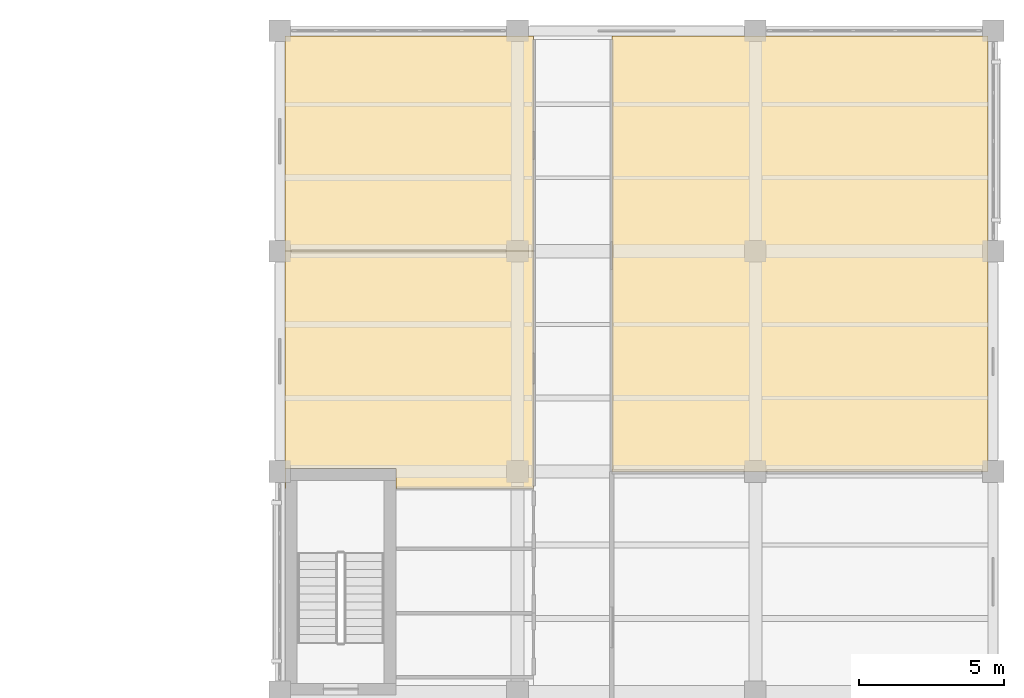
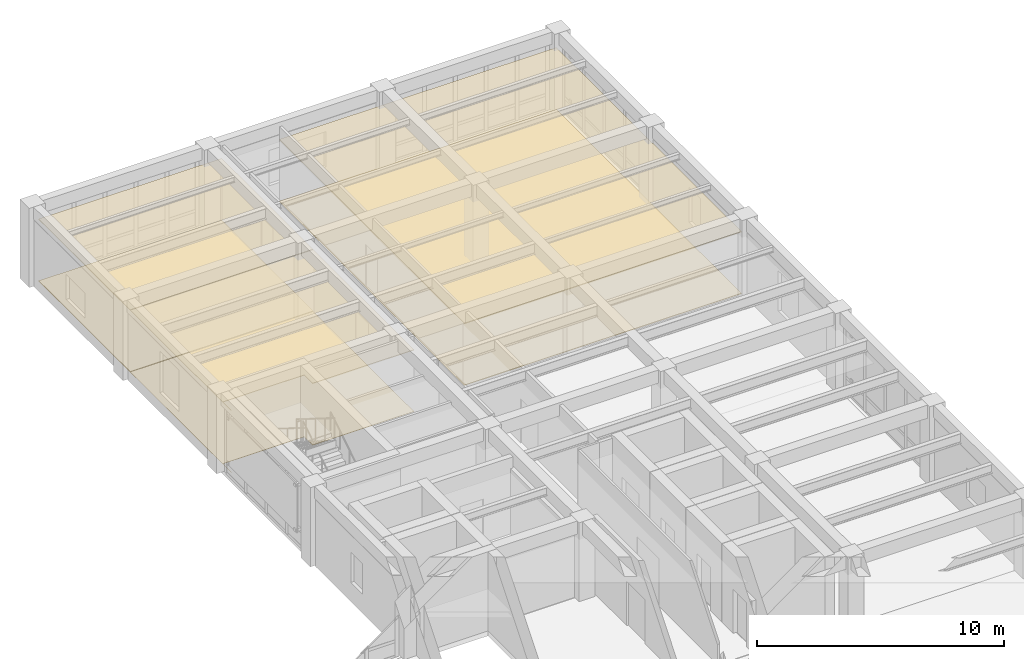
# One storey, part 13 of 13: 6 coverings.
"""IFC4 building model written with IfcOpenShell, lengths in metres."""

from ifc_helpers import new_model, si_unit, direction, frame, origin, place, context, subcontext, project, spatial, polyline, outline, extrude, material, layer, layer_set, type_object, element, save


model = new_model("IFC4")

# Units and contexts
model_context = context("Model", 3, precision=1e-05, world=origin(), true_north=direction((0.0, 1.0)))
body_context = subcontext(model_context, "Body", "Model", "MODEL_VIEW")
ifc_project = project(units=[si_unit("LENGTHUNIT", "METRE"), si_unit("AREAUNIT", "SQUARE_METRE"), si_unit("VOLUMEUNIT", "CUBIC_METRE"), si_unit("PLANEANGLEUNIT", "RADIAN"), si_unit("MASSUNIT", "GRAM", prefix="KILO")], contexts=[model_context])

# Site, building, storey
site_placement = place(None, origin())
site = spatial("IfcSite", under=ifc_project, at=site_placement, CompositionType="ELEMENT")
building_placement = place(site_placement, origin())
building = spatial("IfcBuilding", under=site, at=building_placement, Name="Qandaris Square Conservatory and Botanical Centre", CompositionType="ELEMENT")
storey_placement = place(building_placement, frame((0.0, 0.0, 57.60009765625)))
storey = spatial("IfcBuildingStorey", under=building, at=storey_placement, Name="L13", CompositionType="ELEMENT", Elevation=57.60009765625)

# Coverings
ifc_material_1 = material(Name="Honed Qatari Limestone", Category="masonry")
ifc_layer_1 = layer(ifc_material_1, 0.030029296875)
ifc_layer_set_1 = layer_set([ifc_layer_1], Name="Honed Qatari Limestone")
covering_type_1 = type_object("IfcCoveringType", Name="Honed Qatari Limestone Concourse Paving", PredefinedType="FLOORING", material=ifc_layer_set_1)
covering_1_placement = place(storey_placement, origin())
element("IfcCovering", 1, at=covering_1_placement, inside=storey, type_object=covering_type_1, Name="Climate Modelling Collaborative Seminar Room Flooring", PredefinedType="FLOORING", context=body_context, shape_type="SweptSolid", body=[
    extrude(outline(polyline([(147.949951171875, 61.89990234375), (147.949951171875, 54.60009765625), (139.3798828125, 54.60009765625), (139.3798828125, 62.02001953125), (147.949951171875, 62.02001953125), (147.949951171875, 61.89990234375)])), origin(), (0.0, 0.0, 1.0), 0.02978515625),
])
covering_2_placement = place(storey_placement, origin())
element("IfcCovering", 2, at=covering_2_placement, inside=storey, type_object=covering_type_1, Name="Floor L13 Staff Write-Up Lounge Flooring", PredefinedType="FLOORING", context=body_context, shape_type="SweptSolid", body=[
    extrude(outline(polyline([(150.64990234375, 47.0), (150.64990234375, 61.89990234375), (150.64990234375, 62.02001953125), (163.6201171875, 62.02001953125), (163.6201171875, 47.0), (150.64990234375, 47.0)])), origin(), (0.0, 0.0, 1.0), 0.02978515625),
])
ifc_material_2 = material(Name="Gypsum Plasterboard", Category="gypsum")
ifc_layer_2 = layer(ifc_material_2, 0.02490234375)
ifc_layer_set_2 = layer_set([ifc_layer_2], Name="Gypsum Plasterboard")
covering_type_2 = type_object("IfcCoveringType", Name="Perforated Acoustic Lab Ceiling Tile", PredefinedType="CEILING", material=ifc_layer_set_2)
covering_3_placement = place(storey_placement, frame((0.0, 0.0, 3.0498046875)))
element("IfcCovering", 3, at=covering_3_placement, inside=storey, type_object=covering_type_2, Name="Coastal Dune Flora Specimen Prep Room Ceiling", PredefinedType="CEILING", context=body_context, shape_type="SweptSolid", body=[
    extrude(outline(polyline([(147.949951171875, 46.419921875), (143.199951171875, 46.419921875), (143.199951171875, 47.10009765625), (139.39990234375, 47.10009765625), (139.39990234375, 46.419921875), (139.3798828125, 46.419921875), (139.3798828125, 54.60009765625), (147.949951171875, 54.60009765625), (147.949951171875, 46.419921875)])), origin(), (0.0, 0.0, 1.0), 0.025146484375),
])
ifc_material_3 = material(Name="Epoxy Resin Screed", Category="finish")
ifc_layer_3 = layer(ifc_material_3, 0.014892578125)
ifc_layer_set_3 = layer_set([ifc_layer_3], Name="Epoxy Resin Screed")
covering_type_3 = type_object("IfcCoveringType", Name="Seamless Epoxy Laboratory Flooring", PredefinedType="FLOORING", material=ifc_layer_set_3)
covering_4_placement = place(storey_placement, origin())
element("IfcCovering", 4, at=covering_4_placement, inside=storey, type_object=covering_type_3, Name="Coastal Dune Flora Specimen Prep Room Flooring", PredefinedType="FLOORING", context=body_context, shape_type="SweptSolid", body=[
    extrude(outline(polyline([(147.949951171875, 46.419921875), (143.199951171875, 46.419921875), (143.199951171875, 47.10009765625), (139.39990234375, 47.10009765625), (139.39990234375, 46.419921875), (139.3798828125, 46.419921875), (139.3798828125, 54.60009765625), (147.949951171875, 54.60009765625), (147.949951171875, 46.419921875)])), origin(), (0.0, 0.0, 1.0), 0.014892578125),
])
ifc_material_4 = material(Name="Engineered Oak Timber", Category="wood")
ifc_layer_4 = layer(ifc_material_4, 0.0400390625)
ifc_layer_set_4 = layer_set([ifc_layer_4], Name="Engineered Oak Timber")
covering_type_4 = type_object("IfcCoveringType", Name="Slatted Oak Acoustic Gallery Ceiling", PredefinedType="CEILING", material=ifc_layer_set_4)
covering_5_placement = place(storey_placement, frame((0.0, 0.0, 3.0498046875)))
element("IfcCovering", 5, at=covering_5_placement, inside=storey, type_object=covering_type_4, Name="Climate Modelling Collaborative Seminar Room Ceiling", PredefinedType="CEILING", context=body_context, shape_type="SweptSolid", body=[
    extrude(outline(polyline([(147.949951171875, 61.89990234375), (147.949951171875, 54.60009765625), (139.3798828125, 54.60009765625), (139.3798828125, 62.02001953125), (147.949951171875, 62.02001953125), (147.949951171875, 61.89990234375)])), origin(), (0.0, 0.0, 1.0), 0.0400390625),
])
covering_6_placement = place(storey_placement, frame((0.0, 0.0, 3.0498046875)))
element("IfcCovering", 6, at=covering_6_placement, inside=storey, type_object=covering_type_4, Name="Floor L13 Staff Write-Up Lounge Ceiling", PredefinedType="CEILING", context=body_context, shape_type="SweptSolid", body=[
    extrude(outline(polyline([(150.64990234375, 47.0), (150.64990234375, 61.89990234375), (150.64990234375, 62.02001953125), (163.6201171875, 62.02001953125), (163.6201171875, 47.0), (150.64990234375, 47.0)])), origin(), (0.0, 0.0, 1.0), 0.0400390625),
])

save(model, "model.ifc")
